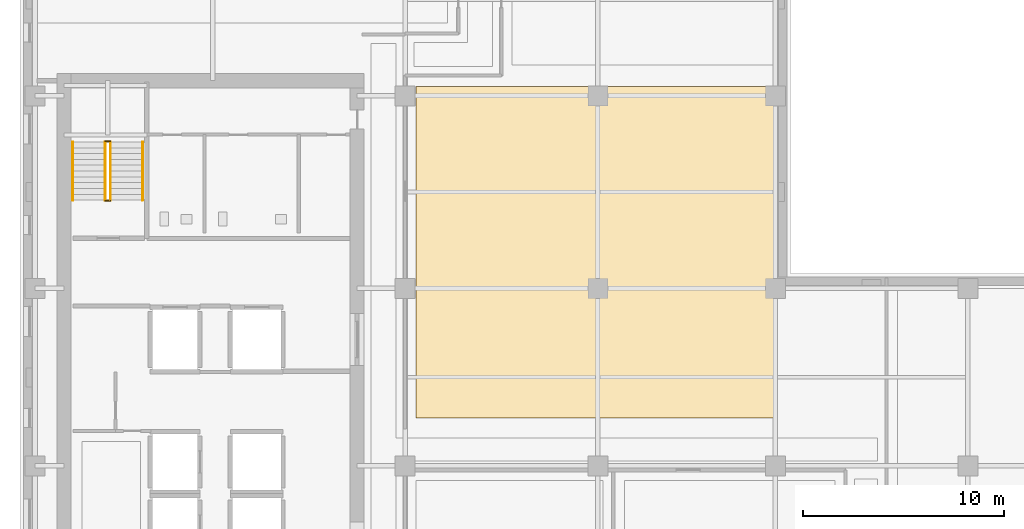
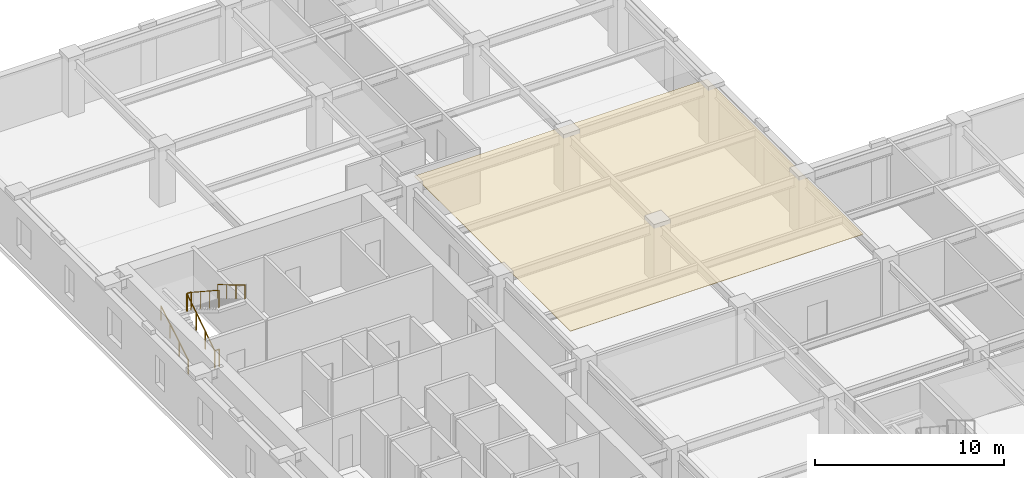
# One storey, part 11 of 13: 6 railings, 1 covering.
"""IFC4 building model written with IfcOpenShell, lengths in metres."""

from ifc_helpers import new_model, si_unit, direction, frame, origin, origin_2d, place, context, subcontext, project, spatial, polyline, circle, outline, extrude, material, layer, layer_set, type_object, element, save


model = new_model("IFC4")

# Units and contexts
model_context = context("Model", 3, precision=1e-05, world=origin(), true_north=direction((0.0, 1.0)))
body_context = subcontext(model_context, "Body", "Model", "MODEL_VIEW")
ifc_project = project(units=[si_unit("LENGTHUNIT", "METRE"), si_unit("AREAUNIT", "SQUARE_METRE"), si_unit("VOLUMEUNIT", "CUBIC_METRE"), si_unit("PLANEANGLEUNIT", "RADIAN"), si_unit("MASSUNIT", "GRAM", prefix="KILO")], contexts=[model_context])

# Site, building, storey
site_placement = place(None, origin())
site = spatial("IfcSite", under=ifc_project, at=site_placement, CompositionType="ELEMENT")
building_placement = place(site_placement, origin())
building = spatial("IfcBuilding", under=site, at=building_placement, Name="Norrvale University Quadrangle", CompositionType="ELEMENT")
storey_placement = place(building_placement, frame((0.0, 0.0, 131.800048828125)))
storey = spatial("IfcBuildingStorey", under=building, at=storey_placement, Name="L33", CompositionType="ELEMENT", Elevation=131.800048828125)

# Covering
ifc_material_1 = material(Name="Perforated Acoustic Mineral Ceiling")
ifc_layer = layer(ifc_material_1, 0.02490234375, Name="Perforated Acoustic Mineral Ceiling")
ifc_layer_set = layer_set([ifc_layer], Name="Perforated Acoustic Mineral Ceiling")
covering_type = type_object("IfcCoveringType", Name="Covering Acoustic Ceiling 25", PredefinedType="CEILING", material=ifc_layer_set)
covering_placement = place(storey_placement, frame((0.0, 0.0, 3.514892578125)))
element("IfcCovering", 1, at=covering_placement, inside=storey, type_object=covering_type, Name="Acoustic Ceiling RM-L33-MNE01", PredefinedType="CEILING", context=body_context, shape_type="SweptSolid", body=[
    extrude(outline(polyline([(19.72998046875, 47.719970703125), (37.64990234375, 47.719970703125), (37.64990234375, 31.179931640625), (19.72998046875, 31.179931640625), (19.72998046875, 47.719970703125)])), origin(), (0.0, 0.0, 1.0), 0.025146484375),
])

# Railings
ifc_material_2 = material(Name="Steel 350W Painted Balustrade", Category="steel")
railing_type_1 = type_object("IfcRailingType", Name="Railing Stair Guard 1100", PredefinedType="GUARDRAIL", material=ifc_material_2)
for number, where, name in (
    (2, (4.239990234375, 42.02001953125, 0.0), "Stair Floor Well Guard ST-02 L33"),
    (3, (4.239990234375, 44.97998046875, 1.89990234375), "Stair Mid-Landing Slot Guard ST-02 L33"),
):
    element("IfcRailing", number, at=place(storey_placement, frame(where)), inside=storey, type_object=railing_type_1, Name=name, PredefinedType="GUARDRAIL", context=body_context, shape_type="SweptSolid", body=[
        extrude(circle(Radius=0.02392578125, at=origin_2d()), frame((0.0, 0.0, 1.1259765625), z_axis=(1.0, 0.0, 0.0), x_axis=(0.0, 1.0, 0.0)), (0.0, 0.0, 1.0), 0.27001953125),
        extrude(circle(Radius=0.02099609375, at=origin_2d()), origin(), (0.0, 0.0, 1.0), 1.101806640625),
        extrude(circle(Radius=0.02099609375, at=origin_2d()), frame((0.27001953125, 0.0, 0.0)), (0.0, 0.0, 1.0), 1.101806640625),
    ])
railing_1_placement = place(storey_placement, frame((4.239990234375, 42.050048828125, 0.0)))
element("IfcRailing", 4, at=railing_1_placement, inside=storey, type_object=railing_type_1, Name="Stair Lower Flight Inner Guard ST-02 L33", PredefinedType="GUARDRAIL", context=body_context, shape_type="SweptSolid", body=[
    extrude(circle(Radius=0.02392578125, at=origin_2d()), frame((0.0, 0.0, 1.1259765625), z_axis=(0.0, 0.836465582154, 0.548019461216), x_axis=(-1.0, 0.0, 0.0)), (0.0, 0.0, 1.0), 3.466796875),
    extrude(circle(Radius=0.02099609375, at=origin_2d()), origin(), (0.0, 0.0, 1.0), 1.101806640625),
    extrude(circle(Radius=0.02099609375, at=origin_2d()), frame((0.0, 0.966552734375, 0.63330078125)), (0.0, 0.0, 1.0), 1.101806640625),
    extrude(circle(Radius=0.02099609375, at=origin_2d()), frame((0.0, 1.933349609375, 1.2666015625)), (0.0, 0.0, 1.0), 1.101806640625),
    extrude(circle(Radius=0.02099609375, at=origin_2d()), frame((0.0, 2.89990234375, 1.89990234375)), (0.0, 0.0, 1.0), 1.101806640625),
])
railing_2_placement = place(storey_placement, frame((4.510009765625, 44.949951171875, 1.89990234375)))
element("IfcRailing", 5, at=railing_2_placement, inside=storey, type_object=railing_type_1, Name="Stair Upper Flight Inner Guard ST-02 L33", PredefinedType="GUARDRAIL", context=body_context, shape_type="SweptSolid", body=[
    extrude(circle(Radius=0.02392578125, at=origin_2d()), frame((0.0, 0.0, 1.1259765625), z_axis=(0.0, -0.836433300813, 0.548068730445), x_axis=(1.0, 0.0, 0.0)), (0.0, 0.0, 1.0), 3.467041015625),
    extrude(circle(Radius=0.02099609375, at=origin_2d()), origin(), (0.0, 0.0, 1.0), 1.101806640625),
    extrude(circle(Radius=0.02099609375, at=origin_2d()), frame((0.0, -0.966552734375, 0.63330078125)), (0.0, 0.0, 1.0), 1.101806640625),
    extrude(circle(Radius=0.02099609375, at=origin_2d()), frame((0.0, -1.933349609375, 1.266845703125)), (0.0, 0.0, 1.0), 1.101806640625),
    extrude(circle(Radius=0.02099609375, at=origin_2d()), frame((0.0, -2.89990234375, 1.900146484375)), (0.0, 0.0, 1.0), 1.101806640625),
])
ifc_material_3 = material(Name="Stainless Steel 316L Handrail", Category="steel")
railing_type_2 = type_object("IfcRailingType", Name="Railing Stair Handrail 920", PredefinedType="HANDRAIL", material=ifc_material_3)
railing_3_placement = place(storey_placement, frame((2.639892578125, 42.050048828125, 0.172607421875)))
element("IfcRailing", 6, at=railing_3_placement, inside=storey, type_object=railing_type_2, Name="Stair Lower Flight Handrail ST-02 L33", PredefinedType="HANDRAIL", context=body_context, shape_type="SweptSolid", body=[
    extrude(circle(Radius=0.02392578125, at=origin_2d()), frame((0.0, 0.0, 0.89599609375), z_axis=(0.0, 0.859141464434, 0.511738159696), x_axis=(-1.0, 0.0, 0.0)), (0.0, 0.0, 1.0), 3.375244140625),
    extrude(circle(Radius=0.02099609375, at=origin_2d()), origin(), (0.0, 0.0, 1.0), 0.871826171875),
    extrude(circle(Radius=0.02099609375, at=origin_2d()), frame((0.0, 0.966552734375, 0.57568359375)), (0.0, 0.0, 1.0), 0.871826171875),
    extrude(circle(Radius=0.02099609375, at=origin_2d()), frame((0.0, 1.933349609375, 1.151611328125)), (0.0, 0.0, 1.0), 0.871826171875),
    extrude(circle(Radius=0.02099609375, at=origin_2d()), frame((0.0, 2.89990234375, 1.727294921875)), (0.0, 0.0, 1.0), 0.871826171875),
])
railing_4_placement = place(storey_placement, frame((6.110107421875, 44.949951171875, 2.07275390625)))
element("IfcRailing", 7, at=railing_4_placement, inside=storey, type_object=railing_type_2, Name="Stair Upper Flight Handrail ST-02 L33", PredefinedType="HANDRAIL", context=body_context, shape_type="SweptSolid", body=[
    extrude(circle(Radius=0.02392578125, at=origin_2d()), frame((0.0, 0.0, 0.89599609375), z_axis=(0.0, -0.859141464434, 0.511738159696), x_axis=(1.0, 0.0, 0.0)), (0.0, 0.0, 1.0), 3.375244140625),
    extrude(circle(Radius=0.02099609375, at=origin_2d()), origin(), (0.0, 0.0, 1.0), 0.871826171875),
    extrude(circle(Radius=0.02099609375, at=origin_2d()), frame((0.0, -0.966552734375, 0.57568359375)), (0.0, 0.0, 1.0), 0.871826171875),
    extrude(circle(Radius=0.02099609375, at=origin_2d()), frame((0.0, -1.933349609375, 1.151611328125)), (0.0, 0.0, 1.0), 0.871826171875),
    extrude(circle(Radius=0.02099609375, at=origin_2d()), frame((0.0, -2.89990234375, 1.727294921875)), (0.0, 0.0, 1.0), 0.871826171875),
])

save(model, "model.ifc")
